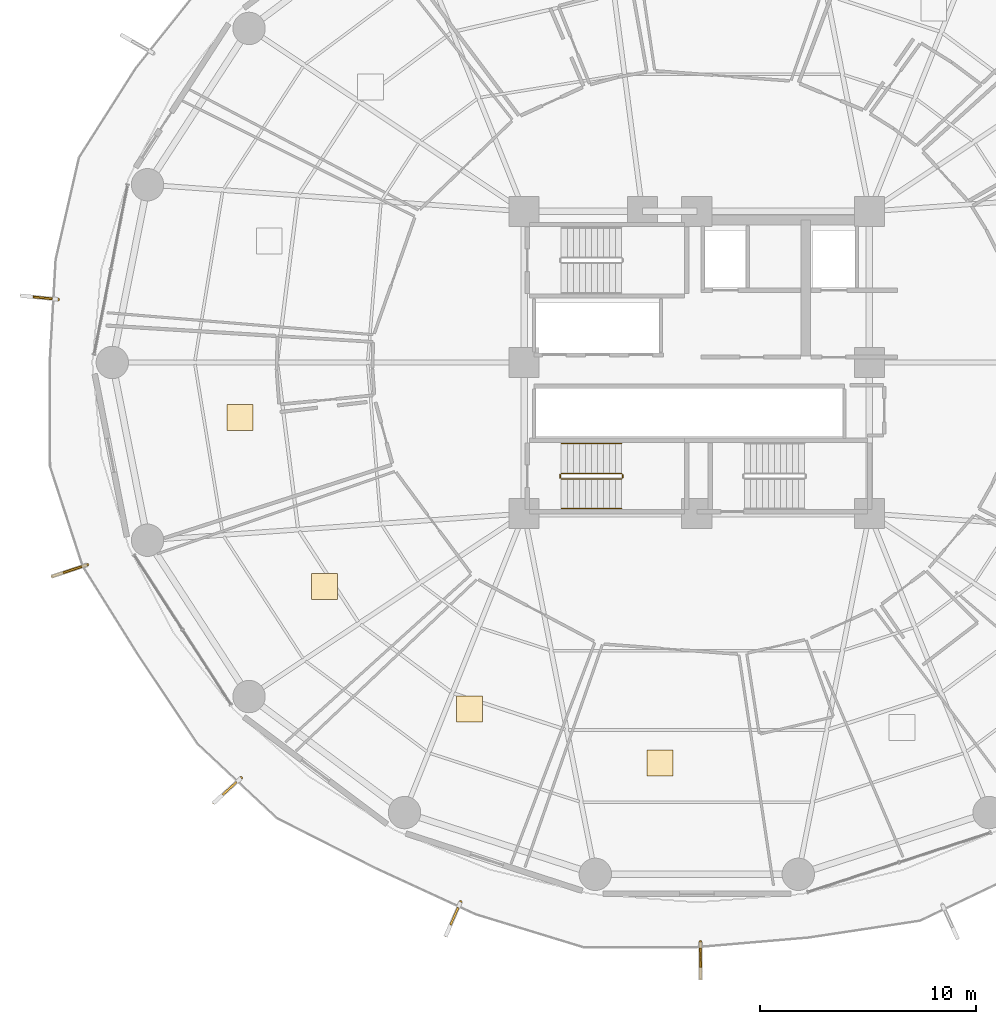
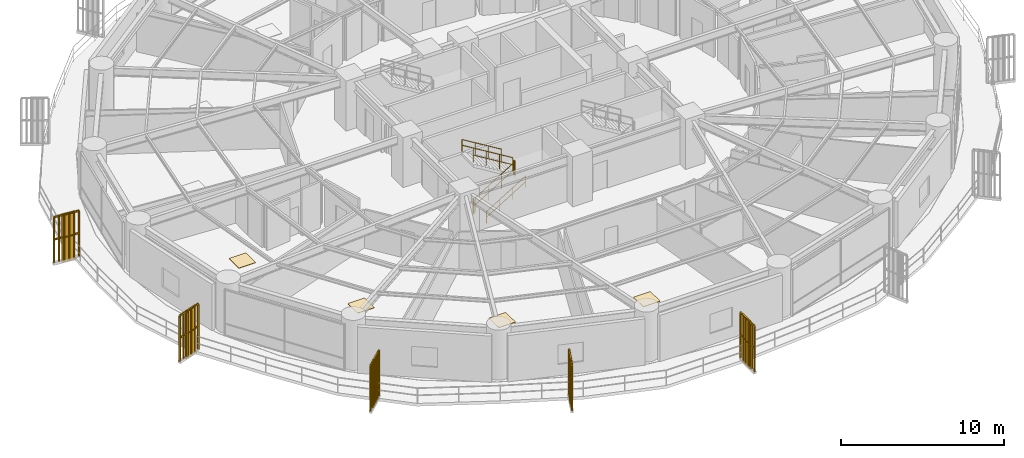
# One storey, part 28 of 32: 11 railings, 5 shading devices, 4 coverings.
"""IFC4 building model written with IfcOpenShell, lengths in metres."""

from ifc_helpers import new_model, si_unit, direction, frame, origin, origin_2d, place, context, subcontext, project, spatial, polyline, rectangle, outline, extrude, source, transform, mapped, material, layer, layer_set, type_object, element, save


model = new_model("IFC4")

# Units and contexts
model_context = context("Model", 3, precision=1e-05, world=origin(), true_north=direction((0.0, 1.0)))
body_context = subcontext(model_context, "Body", "Model", "MODEL_VIEW")
ifc_project = project(units=[si_unit("LENGTHUNIT", "METRE"), si_unit("AREAUNIT", "SQUARE_METRE"), si_unit("VOLUMEUNIT", "CUBIC_METRE"), si_unit("PLANEANGLEUNIT", "RADIAN"), si_unit("MASSUNIT", "GRAM", prefix="KILO")], contexts=[model_context])

# Site, building, storey
site_placement = place(None, origin())
site = spatial("IfcSite", under=ifc_project, at=site_placement, CompositionType="ELEMENT")
building_placement = place(site_placement, origin())
building = spatial("IfcBuilding", under=site, at=building_placement, Name="Kelanora Arch Commons", CompositionType="ELEMENT")
storey_placement = place(building_placement, frame((0.0, 0.0, 56.25)))
storey = spatial("IfcBuildingStorey", under=building, at=storey_placement, Name="L14", CompositionType="ELEMENT", Elevation=56.25)

# Railings
ifc_material_1 = material(Name="Anodised bronze vertical shading fin rib assembly")
railing_type_1 = type_object("IfcRailingType", Name="RAIL-FIN-BRZ", PredefinedType="BALUSTRADE", material=ifc_material_1)
railing_1_placement = place(storey_placement, frame((44.407958984375, 60.924072265625, -0.02001953125)))
element("IfcRailing", 1, at=railing_1_placement, inside=storey, type_object=railing_type_1, Name="Sweeping Bronze Vertical Fin Blade L14-06", PredefinedType="BALUSTRADE", context=body_context, shape_type="SweptSolid", body=[
    extrude(outline(polyline([(0.06982421875, 0.0), (0.034912109375, 0.060546875), (-0.034912109375, 0.060546875), (-0.06982421875, 0.0), (-0.034912109375, -0.060546875), (0.034912109375, -0.060546875), (0.06982421875, 0.0)])), frame((0.0, 0.0, 3.419921875), z_axis=(-0.995163487525, 0.098232546022, 0.0), x_axis=(-0.098232546022, -0.995163487525, 0.0)), (0.0, 0.0, 1.0), 1.692626953125),
    extrude(outline(polyline([(0.06982421875, 0.0), (0.034912109375, 0.060546875), (-0.034912109375, 0.060546875), (-0.06982421875, 0.0), (-0.034912109375, -0.060546875), (0.034912109375, -0.060546875), (0.06982421875, 0.0)])), frame((0.0, 0.0, 1.7451171875), z_axis=(-0.995163487525, 0.098232546022, 0.0), x_axis=(-0.098232546022, -0.995163487525, 0.0)), (0.0, 0.0, 1.0), 1.692626953125),
    extrude(outline(polyline([(0.080078125, 0.0), (0.0400390625, 0.0693359375), (-0.0400390625, 0.0693359375), (-0.080078125, 0.0), (-0.0400390625, -0.0693359375), (0.0400390625, -0.0693359375), (0.080078125, 0.0)])), origin(), (0.0, 0.0, 1.0), 3.35009765625),
    extrude(outline(polyline([(0.080078125, 0.0), (0.0400390625, 0.0693359375), (-0.0400390625, 0.0693359375), (-0.080078125, 0.0), (-0.0400390625, -0.0693359375), (0.0400390625, -0.0693359375), (0.080078125, 0.0)])), frame((-0.3369140625, 0.033203125, 0.0)), (0.0, 0.0, 1.0), 3.35009765625),
    extrude(outline(polyline([(0.080078125, 0.0), (0.0400390625, 0.0693359375), (-0.0400390625, 0.0693359375), (-0.080078125, 0.0), (-0.0400390625, -0.0693359375), (0.0400390625, -0.0693359375), (0.080078125, 0.0)])), frame((-0.673828125, 0.06640625, 0.0)), (0.0, 0.0, 1.0), 3.35009765625),
    extrude(outline(polyline([(0.080078125, 0.0), (0.0400390625, 0.0693359375), (-0.0400390625, 0.0693359375), (-0.080078125, 0.0), (-0.0400390625, -0.0693359375), (0.0400390625, -0.0693359375), (0.080078125, 0.0)])), frame((-1.010498046875, 0.099853515625, 0.0)), (0.0, 0.0, 1.0), 3.35009765625),
    extrude(outline(polyline([(0.080078125, 0.0), (0.0400390625, 0.0693359375), (-0.0400390625, 0.0693359375), (-0.080078125, 0.0), (-0.0400390625, -0.0693359375), (0.0400390625, -0.0693359375), (0.080078125, 0.0)])), frame((-1.347412109375, 0.133056640625, 0.0)), (0.0, 0.0, 1.0), 3.35009765625),
    extrude(outline(polyline([(0.080078125, 0.0), (0.0400390625, 0.0693359375), (-0.0400390625, 0.0693359375), (-0.080078125, 0.0), (-0.0400390625, -0.0693359375), (0.0400390625, -0.0693359375), (0.080078125, 0.0)])), frame((-1.684326171875, 0.166259765625, 0.0)), (0.0, 0.0, 1.0), 3.35009765625),
])
railing_2_placement = place(storey_placement, frame((45.7587890625, 48.62890625, -0.02001953125)))
element("IfcRailing", 2, at=railing_2_placement, inside=storey, type_object=railing_type_1, Name="Sweeping Bronze Vertical Fin Blade L14-07", PredefinedType="BALUSTRADE", context=body_context, shape_type="SweptSolid", body=[
    extrude(outline(polyline([(0.06982421875, 0.0), (0.034912109375, 0.060546875), (-0.034912109375, 0.060546875), (-0.06982421875, 0.0), (-0.034912109375, -0.060546875), (0.034912109375, -0.060546875), (0.06982421875, 0.0)])), frame((0.0, 0.0, 3.419921875), z_axis=(-0.949115202632, -0.314929090644, 0.0), x_axis=(0.314929090644, -0.949115202632, 0.0)), (0.0, 0.0, 1.0), 1.6923828125),
    extrude(outline(polyline([(0.06982421875, 0.0), (0.034912109375, 0.060546875), (-0.034912109375, 0.060546875), (-0.06982421875, 0.0), (-0.034912109375, -0.060546875), (0.034912109375, -0.060546875), (0.06982421875, 0.0)])), frame((0.0, 0.0, 1.7451171875), z_axis=(-0.949115202632, -0.314929090644, 0.0), x_axis=(0.314929090644, -0.949115202632, 0.0)), (0.0, 0.0, 1.0), 1.6923828125),
    extrude(outline(polyline([(0.080078125, 0.0), (0.0400390625, 0.0693359375), (-0.0400390625, 0.0693359375), (-0.080078125, 0.0), (-0.0400390625, -0.0693359375), (0.0400390625, -0.0693359375), (0.080078125, 0.0)])), origin(), (0.0, 0.0, 1.0), 3.35009765625),
    extrude(outline(polyline([(0.080078125, 0.0), (0.0400390625, 0.0693359375), (-0.0400390625, 0.0693359375), (-0.080078125, 0.0), (-0.0400390625, -0.0693359375), (0.0400390625, -0.0693359375), (0.080078125, 0.0)])), frame((-0.3212890625, -0.106689453125, 0.0)), (0.0, 0.0, 1.0), 3.35009765625),
    extrude(outline(polyline([(0.080078125, 0.0), (0.0400390625, 0.0693359375), (-0.0400390625, 0.0693359375), (-0.080078125, 0.0), (-0.0400390625, -0.0693359375), (0.0400390625, -0.0693359375), (0.080078125, 0.0)])), frame((-0.642578125, -0.213134765625, 0.0)), (0.0, 0.0, 1.0), 3.35009765625),
    extrude(outline(polyline([(0.080078125, 0.0), (0.0400390625, 0.0693359375), (-0.0400390625, 0.0693359375), (-0.080078125, 0.0), (-0.0400390625, -0.0693359375), (0.0400390625, -0.0693359375), (0.080078125, 0.0)])), frame((-0.963623046875, -0.31982421875, 0.0)), (0.0, 0.0, 1.0), 3.35009765625),
    extrude(outline(polyline([(0.080078125, 0.0), (0.0400390625, 0.0693359375), (-0.0400390625, 0.0693359375), (-0.080078125, 0.0), (-0.0400390625, -0.0693359375), (0.0400390625, -0.0693359375), (0.080078125, 0.0)])), frame((-1.284912109375, -0.42626953125, 0.0)), (0.0, 0.0, 1.0), 3.35009765625),
    extrude(outline(polyline([(0.080078125, 0.0), (0.0400390625, 0.0693359375), (-0.0400390625, 0.0693359375), (-0.080078125, 0.0), (-0.0400390625, -0.0693359375), (0.0400390625, -0.0693359375), (0.080078125, 0.0)])), frame((-1.606201171875, -0.532958984375, 0.0)), (0.0, 0.0, 1.0), 3.35009765625),
])
railing_3_placement = place(storey_placement, frame((52.88525390625, 38.748779296875, -0.02001953125)))
element("IfcRailing", 3, at=railing_3_placement, inside=storey, type_object=railing_type_1, Name="Sweeping Bronze Vertical Fin Blade L14-08", PredefinedType="BALUSTRADE", context=body_context, shape_type="SweptSolid", body=[
    extrude(outline(polyline([(0.06982421875, 0.0), (0.034912109375, 0.060546875), (-0.034912109375, 0.060546875), (-0.06982421875, 0.0), (-0.034912109375, -0.060546875), (0.034912109375, -0.060546875), (0.06982421875, 0.0)])), frame((0.0, 0.0, 3.419921875), z_axis=(-0.738953731716, -0.673756174282, 0.0), x_axis=(0.673756174282, -0.738953731716, 0.0)), (0.0, 0.0, 1.0), 1.692626953125),
    extrude(outline(polyline([(0.06982421875, 0.0), (0.034912109375, 0.060546875), (-0.034912109375, 0.060546875), (-0.06982421875, 0.0), (-0.034912109375, -0.060546875), (0.034912109375, -0.060546875), (0.06982421875, 0.0)])), frame((0.0, 0.0, 1.7451171875), z_axis=(-0.738953731716, -0.673756174282, 0.0), x_axis=(0.673756174282, -0.738953731716, 0.0)), (0.0, 0.0, 1.0), 1.692626953125),
    extrude(outline(polyline([(0.080078125, 0.0), (0.0400390625, 0.0693359375), (-0.0400390625, 0.0693359375), (-0.080078125, 0.0), (-0.0400390625, -0.0693359375), (0.0400390625, -0.0693359375), (0.080078125, 0.0)])), origin(), (0.0, 0.0, 1.0), 3.35009765625),
    extrude(outline(polyline([(0.080078125, 0.0), (0.0400390625, 0.0693359375), (-0.0400390625, 0.0693359375), (-0.080078125, 0.0), (-0.0400390625, -0.0693359375), (0.0400390625, -0.0693359375), (0.080078125, 0.0)])), frame((-0.250244140625, -0.22802734375, 0.0)), (0.0, 0.0, 1.0), 3.35009765625),
    extrude(outline(polyline([(0.080078125, 0.0), (0.0400390625, 0.0693359375), (-0.0400390625, 0.0693359375), (-0.080078125, 0.0), (-0.0400390625, -0.0693359375), (0.0400390625, -0.0693359375), (0.080078125, 0.0)])), frame((-0.500244140625, -0.4560546875, 0.0)), (0.0, 0.0, 1.0), 3.35009765625),
    extrude(outline(polyline([(0.080078125, 0.0), (0.0400390625, 0.0693359375), (-0.0400390625, 0.0693359375), (-0.080078125, 0.0), (-0.0400390625, -0.0693359375), (0.0400390625, -0.0693359375), (0.080078125, 0.0)])), frame((-0.75048828125, -0.684326171875, 0.0)), (0.0, 0.0, 1.0), 3.35009765625),
    extrude(outline(polyline([(0.080078125, 0.0), (0.0400390625, 0.0693359375), (-0.0400390625, 0.0693359375), (-0.080078125, 0.0), (-0.0400390625, -0.0693359375), (0.0400390625, -0.0693359375), (0.080078125, 0.0)])), frame((-1.00048828125, -0.912353515625, 0.0)), (0.0, 0.0, 1.0), 3.35009765625),
    extrude(outline(polyline([(0.080078125, 0.0), (0.0400390625, 0.0693359375), (-0.0400390625, 0.0693359375), (-0.080078125, 0.0), (-0.0400390625, -0.0693359375), (0.0400390625, -0.0693359375), (0.080078125, 0.0)])), frame((-1.250732421875, -1.140380859375, 0.0)), (0.0, 0.0, 1.0), 3.35009765625),
])
railing_4_placement = place(storey_placement, frame((63.056884765625, 33.00341796875, -0.02001953125)))
element("IfcRailing", 4, at=railing_4_placement, inside=storey, type_object=railing_type_1, Name="Sweeping Bronze Vertical Fin Blade L14-09", PredefinedType="BALUSTRADE", context=body_context, shape_type="SweptSolid", body=[
    extrude(outline(polyline([(0.06982421875, 0.0), (0.034912109375, 0.060546875), (-0.034912109375, 0.060546875), (-0.06982421875, 0.0), (-0.034912109375, -0.060546875), (0.034912109375, -0.060546875), (0.06982421875, 0.0)])), frame((0.0, 0.0, 3.419921875), z_axis=(-0.400992863082, -0.916081177493, 0.0), x_axis=(0.916081177493, -0.400992863082, 0.0)), (0.0, 0.0, 1.0), 1.692626953125),
    extrude(outline(polyline([(0.06982421875, 0.0), (0.034912109375, 0.060546875), (-0.034912109375, 0.060546875), (-0.06982421875, 0.0), (-0.034912109375, -0.060546875), (0.034912109375, -0.060546875), (0.06982421875, 0.0)])), frame((0.0, 0.0, 1.7451171875), z_axis=(-0.400992863082, -0.916081177493, 0.0), x_axis=(0.916081177493, -0.400992863082, 0.0)), (0.0, 0.0, 1.0), 1.692626953125),
    extrude(outline(polyline([(0.080078125, 0.0), (0.0400390625, 0.0693359375), (-0.0400390625, 0.0693359375), (-0.080078125, 0.0), (-0.0400390625, -0.0693359375), (0.0400390625, -0.0693359375), (0.080078125, 0.0)])), origin(), (0.0, 0.0, 1.0), 3.35009765625),
    extrude(outline(polyline([(0.080078125, 0.0), (0.0400390625, 0.0693359375), (-0.0400390625, 0.0693359375), (-0.080078125, 0.0), (-0.0400390625, -0.0693359375), (0.0400390625, -0.0693359375), (0.080078125, 0.0)])), frame((-0.1357421875, -0.31005859375, 0.0)), (0.0, 0.0, 1.0), 3.35009765625),
    extrude(outline(polyline([(0.080078125, 0.0), (0.0400390625, 0.0693359375), (-0.0400390625, 0.0693359375), (-0.080078125, 0.0), (-0.0400390625, -0.0693359375), (0.0400390625, -0.0693359375), (0.080078125, 0.0)])), frame((-0.271484375, -0.6201171875, 0.0)), (0.0, 0.0, 1.0), 3.35009765625),
    extrude(outline(polyline([(0.080078125, 0.0), (0.0400390625, 0.0693359375), (-0.0400390625, 0.0693359375), (-0.080078125, 0.0), (-0.0400390625, -0.0693359375), (0.0400390625, -0.0693359375), (0.080078125, 0.0)])), frame((-0.4072265625, -0.930419921875, 0.0)), (0.0, 0.0, 1.0), 3.35009765625),
    extrude(outline(polyline([(0.080078125, 0.0), (0.0400390625, 0.0693359375), (-0.0400390625, 0.0693359375), (-0.080078125, 0.0), (-0.0400390625, -0.0693359375), (0.0400390625, -0.0693359375), (0.080078125, 0.0)])), frame((-0.54296875, -1.240478515625, 0.0)), (0.0, 0.0, 1.0), 3.35009765625),
    extrude(outline(polyline([(0.080078125, 0.0), (0.0400390625, 0.0693359375), (-0.0400390625, 0.0693359375), (-0.080078125, 0.0), (-0.0400390625, -0.0693359375), (0.0400390625, -0.0693359375), (0.080078125, 0.0)])), frame((-0.6787109375, -1.550537109375, 0.0)), (0.0, 0.0, 1.0), 3.35009765625),
])
railing_5_placement = place(storey_placement, frame((74.167236328125, 31.152099609375, -0.02001953125)))
element("IfcRailing", 5, at=railing_5_placement, inside=storey, type_object=railing_type_1, Name="Sweeping Bronze Vertical Fin Blade L14-10", PredefinedType="BALUSTRADE", context=body_context, shape_type="SweptSolid", body=[
    extrude(outline(polyline([(0.06982421875, 0.0), (0.034912109375, 0.060546875), (-0.034912109375, 0.060546875), (-0.06982421875, 0.0), (-0.034912109375, -0.060546875), (0.034912109375, -0.060546875), (0.06982421875, 0.0)])), frame((0.0, 0.0, 3.419921875), z_axis=(0.006202101972, -0.999980766781, 0.0), x_axis=(0.999980766781, 0.006202101972, 0.0)), (0.0, 0.0, 1.0), 1.692626953125),
    extrude(outline(polyline([(0.06982421875, 0.0), (0.034912109375, 0.060546875), (-0.034912109375, 0.060546875), (-0.06982421875, 0.0), (-0.034912109375, -0.060546875), (0.034912109375, -0.060546875), (0.06982421875, 0.0)])), frame((0.0, 0.0, 1.7451171875), z_axis=(0.006202101972, -0.999980766781, 0.0), x_axis=(0.999980766781, 0.006202101972, 0.0)), (0.0, 0.0, 1.0), 1.692626953125),
    extrude(outline(polyline([(0.080078125, 0.0), (0.0400390625, 0.0693359375), (-0.0400390625, 0.0693359375), (-0.080078125, 0.0), (-0.0400390625, -0.0693359375), (0.0400390625, -0.0693359375), (0.080078125, 0.0)])), origin(), (0.0, 0.0, 1.0), 3.35009765625),
    extrude(outline(polyline([(0.080078125, 0.0), (0.0400390625, 0.0693359375), (-0.0400390625, 0.0693359375), (-0.080078125, 0.0), (-0.0400390625, -0.0693359375), (0.0400390625, -0.0693359375), (0.080078125, 0.0)])), frame((0.002197265625, -0.338623046875, 0.0)), (0.0, 0.0, 1.0), 3.35009765625),
    extrude(outline(polyline([(0.080078125, 0.0), (0.0400390625, 0.0693359375), (-0.0400390625, 0.0693359375), (-0.080078125, 0.0), (-0.0400390625, -0.0693359375), (0.0400390625, -0.0693359375), (0.080078125, 0.0)])), frame((0.004150390625, -0.677001953125, 0.0)), (0.0, 0.0, 1.0), 3.35009765625),
    extrude(outline(polyline([(0.080078125, 0.0), (0.0400390625, 0.0693359375), (-0.0400390625, 0.0693359375), (-0.080078125, 0.0), (-0.0400390625, -0.0693359375), (0.0400390625, -0.0693359375), (0.080078125, 0.0)])), frame((0.00634765625, -1.015625, 0.0)), (0.0, 0.0, 1.0), 3.35009765625),
    extrude(outline(polyline([(0.080078125, 0.0), (0.0400390625, 0.0693359375), (-0.0400390625, 0.0693359375), (-0.080078125, 0.0), (-0.0400390625, -0.0693359375), (0.0400390625, -0.0693359375), (0.080078125, 0.0)])), frame((0.00830078125, -1.35400390625, 0.0)), (0.0, 0.0, 1.0), 3.35009765625),
    extrude(outline(polyline([(0.080078125, 0.0), (0.0400390625, 0.0693359375), (-0.0400390625, 0.0693359375), (-0.080078125, 0.0), (-0.0400390625, -0.0693359375), (0.0400390625, -0.0693359375), (0.080078125, 0.0)])), frame((0.010498046875, -1.692626953125, 0.0)), (0.0, 0.0, 1.0), 3.35009765625),
])
ifc_material_2 = material(Name="Painted steel stair well guard", Category="steel")
railing_type_2 = type_object("IfcRailingType", Name="RAIL-STAIR-GRD", PredefinedType="GUARDRAIL", material=ifc_material_2)
railing_6_placement = place(storey_placement, frame((67.719970703125, 52.610107421875, 0.17041015625)))
element("IfcRailing", 6, at=railing_6_placement, inside=storey, type_object=railing_type_2, Name="L14 ST-T3 stair guard 1", PredefinedType="GUARDRAIL", context=body_context, shape_type="SweptSolid", body=[
    extrude(outline(polyline([(0.02392578125, 0.0), (0.011962890625, 0.020751953125), (-0.011962890625, 0.020751953125), (-0.02392578125, 0.0), (-0.011962890625, -0.020751953125), (0.011962890625, -0.020751953125), (0.02392578125, 0.0)])), frame((0.0, 0.0, 1.076171875), z_axis=(0.854169791009, 0.0, 0.51999420009), x_axis=(0.0, 1.0, 0.0)), (0.0, 0.0, 1.0), 3.278076171875),
    extrude(outline(polyline([(0.02392578125, 0.0), (0.011962890625, 0.020751953125), (-0.011962890625, 0.020751953125), (-0.02392578125, 0.0), (-0.011962890625, -0.020751953125), (0.011962890625, -0.020751953125), (0.02392578125, 0.0)])), frame((0.0, 0.0, 0.550048828125), z_axis=(0.854169791009, 0.0, 0.51999420009), x_axis=(0.0, 1.0, 0.0)), (0.0, 0.0, 1.0), 3.278076171875),
    extrude(outline(polyline([(0.02099609375, 0.0), (0.010498046875, 0.01806640625), (-0.010498046875, 0.01806640625), (-0.02099609375, 0.0), (-0.010498046875, -0.01806640625), (0.010498046875, -0.01806640625), (0.02099609375, 0.0)])), origin(), (0.0, 0.0, 1.0), 1.052001953125),
    extrude(outline(polyline([(0.02099609375, 0.0), (0.010498046875, 0.01806640625), (-0.010498046875, 0.01806640625), (-0.02099609375, 0.0), (-0.010498046875, -0.01806640625), (0.010498046875, -0.01806640625), (0.02099609375, 0.0)])), frame((0.933349609375, 0.0, 0.568115234375)), (0.0, 0.0, 1.0), 1.052001953125),
    extrude(outline(polyline([(0.02099609375, 0.0), (0.010498046875, 0.01806640625), (-0.010498046875, 0.01806640625), (-0.02099609375, 0.0), (-0.010498046875, -0.01806640625), (0.010498046875, -0.01806640625), (0.02099609375, 0.0)])), frame((1.86669921875, 0.0, 1.136474609375)), (0.0, 0.0, 1.0), 1.052001953125),
    extrude(outline(polyline([(0.02099609375, 0.0), (0.010498046875, 0.01806640625), (-0.010498046875, 0.01806640625), (-0.02099609375, 0.0), (-0.010498046875, -0.01806640625), (0.010498046875, -0.01806640625), (0.02099609375, 0.0)])), frame((2.800048828125, 0.0, 1.70458984375)), (0.0, 0.0, 1.0), 1.052001953125),
])
railing_7_placement = place(storey_placement, frame((70.570068359375, 52.659912109375, 1.875)))
element("IfcRailing", 7, at=railing_7_placement, inside=storey, type_object=railing_type_2, Name="L14 ST-T3 stair guard 2", PredefinedType="GUARDRAIL", context=body_context, shape_type="SweptSolid", body=[
    extrude(outline(polyline([(0.02392578125, 0.0), (0.011962890625, 0.020751953125), (-0.011962890625, 0.020751953125), (-0.02392578125, 0.0), (-0.011962890625, -0.020751953125), (0.011962890625, -0.020751953125), (0.02392578125, 0.0)])), frame((0.0, 0.0, 1.076171875), z_axis=(0.0, 1.0, 0.0), x_axis=(-1.0, 0.0, 0.0)), (0.0, 0.0, 1.0), 0.150146484375),
    extrude(outline(polyline([(0.02392578125, 0.0), (0.011962890625, 0.020751953125), (-0.011962890625, 0.020751953125), (-0.02392578125, 0.0), (-0.011962890625, -0.020751953125), (0.011962890625, -0.020751953125), (0.02392578125, 0.0)])), frame((0.0, 0.0, 0.550048828125), z_axis=(0.0, 1.0, 0.0), x_axis=(-1.0, 0.0, 0.0)), (0.0, 0.0, 1.0), 0.150146484375),
    extrude(outline(polyline([(0.02099609375, 0.0), (0.010498046875, 0.01806640625), (-0.010498046875, 0.01806640625), (-0.02099609375, 0.0), (-0.010498046875, -0.01806640625), (0.010498046875, -0.01806640625), (0.02099609375, 0.0)])), origin(), (0.0, 0.0, 1.0), 1.052001953125),
    extrude(outline(polyline([(0.02099609375, 0.0), (0.010498046875, 0.01806640625), (-0.010498046875, 0.01806640625), (-0.02099609375, 0.0), (-0.010498046875, -0.01806640625), (0.010498046875, -0.01806640625), (0.02099609375, 0.0)])), frame((0.0, 0.150146484375, 0.0)), (0.0, 0.0, 1.0), 1.052001953125),
])
railing_8_placement = place(storey_placement, frame((70.52001953125, 52.860107421875, 2.04541015625)))
element("IfcRailing", 8, at=railing_8_placement, inside=storey, type_object=railing_type_2, Name="L14 ST-T3 stair guard 3", PredefinedType="GUARDRAIL", context=body_context, shape_type="SweptSolid", body=[
    extrude(outline(polyline([(0.02392578125, 0.0), (0.011962890625, 0.020751953125), (-0.011962890625, 0.020751953125), (-0.02392578125, 0.0), (-0.011962890625, -0.020751953125), (0.011962890625, -0.020751953125), (0.02392578125, 0.0)])), frame((0.0, 0.0, 1.076171875), z_axis=(-0.854169791009, 0.0, 0.51999420009), x_axis=(0.0, -1.0, 0.0)), (0.0, 0.0, 1.0), 3.278076171875),
    extrude(outline(polyline([(0.02392578125, 0.0), (0.011962890625, 0.020751953125), (-0.011962890625, 0.020751953125), (-0.02392578125, 0.0), (-0.011962890625, -0.020751953125), (0.011962890625, -0.020751953125), (0.02392578125, 0.0)])), frame((0.0, 0.0, 0.550048828125), z_axis=(-0.854169791009, 0.0, 0.51999420009), x_axis=(0.0, -1.0, 0.0)), (0.0, 0.0, 1.0), 3.278076171875),
    extrude(outline(polyline([(0.02099609375, 0.0), (0.010498046875, 0.01806640625), (-0.010498046875, 0.01806640625), (-0.02099609375, 0.0), (-0.010498046875, -0.01806640625), (0.010498046875, -0.01806640625), (0.02099609375, 0.0)])), origin(), (0.0, 0.0, 1.0), 1.052001953125),
    extrude(outline(polyline([(0.02099609375, 0.0), (0.010498046875, 0.01806640625), (-0.010498046875, 0.01806640625), (-0.02099609375, 0.0), (-0.010498046875, -0.01806640625), (0.010498046875, -0.01806640625), (0.02099609375, 0.0)])), frame((-0.933349609375, 0.0, 0.568115234375)), (0.0, 0.0, 1.0), 1.052001953125),
    extrude(outline(polyline([(0.02099609375, 0.0), (0.010498046875, 0.01806640625), (-0.010498046875, 0.01806640625), (-0.02099609375, 0.0), (-0.010498046875, -0.01806640625), (0.010498046875, -0.01806640625), (0.02099609375, 0.0)])), frame((-1.86669921875, 0.0, 1.136474609375)), (0.0, 0.0, 1.0), 1.052001953125),
    extrude(outline(polyline([(0.02099609375, 0.0), (0.010498046875, 0.01806640625), (-0.010498046875, 0.01806640625), (-0.02099609375, 0.0), (-0.010498046875, -0.01806640625), (0.010498046875, -0.01806640625), (0.02099609375, 0.0)])), frame((-2.800048828125, 0.0, 1.70458984375)), (0.0, 0.0, 1.0), 1.052001953125),
])
railing_9_placement = place(storey_placement, frame((67.669921875, 52.659912109375, 0.0)))
element("IfcRailing", 9, at=railing_9_placement, inside=storey, type_object=railing_type_2, Name="L14 ST-T3 stair guard 4", PredefinedType="GUARDRAIL", context=body_context, shape_type="SweptSolid", body=[
    extrude(outline(polyline([(0.02392578125, 0.0), (0.011962890625, 0.020751953125), (-0.011962890625, 0.020751953125), (-0.02392578125, 0.0), (-0.011962890625, -0.020751953125), (0.011962890625, -0.020751953125), (0.02392578125, 0.0)])), frame((0.0, 0.0, 1.076171875), z_axis=(0.0, 1.0, 0.0), x_axis=(-1.0, 0.0, 0.0)), (0.0, 0.0, 1.0), 0.150146484375),
    extrude(outline(polyline([(0.02392578125, 0.0), (0.011962890625, 0.020751953125), (-0.011962890625, 0.020751953125), (-0.02392578125, 0.0), (-0.011962890625, -0.020751953125), (0.011962890625, -0.020751953125), (0.02392578125, 0.0)])), frame((0.0, 0.0, 0.550048828125), z_axis=(0.0, 1.0, 0.0), x_axis=(-1.0, 0.0, 0.0)), (0.0, 0.0, 1.0), 0.150146484375),
    extrude(outline(polyline([(0.02099609375, 0.0), (0.010498046875, 0.01806640625), (-0.010498046875, 0.01806640625), (-0.02099609375, 0.0), (-0.010498046875, -0.01806640625), (0.010498046875, -0.01806640625), (0.02099609375, 0.0)])), origin(), (0.0, 0.0, 1.0), 1.052001953125),
    extrude(outline(polyline([(0.02099609375, 0.0), (0.010498046875, 0.01806640625), (-0.010498046875, 0.01806640625), (-0.02099609375, 0.0), (-0.010498046875, -0.01806640625), (0.010498046875, -0.01806640625), (0.02099609375, 0.0)])), frame((0.0, 0.150146484375, 0.0)), (0.0, 0.0, 1.0), 1.052001953125),
])
ifc_material_3 = material(Name="Brushed stainless steel stair handrail", Category="steel")
railing_type_3 = type_object("IfcRailingType", Name="RAIL-STAIR-HND", PredefinedType="HANDRAIL", material=ifc_material_3)
railing_10_placement = place(storey_placement, frame((67.719970703125, 51.22998046875, 0.17041015625)))
element("IfcRailing", 10, at=railing_10_placement, inside=storey, type_object=railing_type_3, Name="L14 ST-T3 stair handrail 1", PredefinedType="HANDRAIL", context=body_context, shape_type="SweptSolid", body=[
    extrude(outline(polyline([(0.02392578125, 0.0), (0.011962890625, 0.020751953125), (-0.011962890625, 0.020751953125), (-0.02392578125, 0.0), (-0.011962890625, -0.020751953125), (0.011962890625, -0.020751953125), (0.02392578125, 0.0)])), frame((0.0, 0.0, 0.8759765625), z_axis=(0.854169791009, 0.0, 0.51999420009), x_axis=(0.0, 1.0, 0.0)), (0.0, 0.0, 1.0), 3.278076171875),
    extrude(outline(polyline([(0.02392578125, 0.0), (0.011962890625, 0.020751953125), (-0.011962890625, 0.020751953125), (-0.02392578125, 0.0), (-0.011962890625, -0.020751953125), (0.011962890625, -0.020751953125), (0.02392578125, 0.0)])), frame((0.0, 0.0, 0.449951171875), z_axis=(0.854169791009, 0.0, 0.51999420009), x_axis=(0.0, 1.0, 0.0)), (0.0, 0.0, 1.0), 3.278076171875),
    extrude(outline(polyline([(0.02099609375, 0.0), (0.010498046875, 0.01806640625), (-0.010498046875, 0.01806640625), (-0.02099609375, 0.0), (-0.010498046875, -0.01806640625), (0.010498046875, -0.01806640625), (0.02099609375, 0.0)])), origin(), (0.0, 0.0, 1.0), 0.851806640625),
    extrude(outline(polyline([(0.02099609375, 0.0), (0.010498046875, 0.01806640625), (-0.010498046875, 0.01806640625), (-0.02099609375, 0.0), (-0.010498046875, -0.01806640625), (0.010498046875, -0.01806640625), (0.02099609375, 0.0)])), frame((0.933349609375, 0.0, 0.568115234375)), (0.0, 0.0, 1.0), 0.851806640625),
    extrude(outline(polyline([(0.02099609375, 0.0), (0.010498046875, 0.01806640625), (-0.010498046875, 0.01806640625), (-0.02099609375, 0.0), (-0.010498046875, -0.01806640625), (0.010498046875, -0.01806640625), (0.02099609375, 0.0)])), frame((1.86669921875, 0.0, 1.136474609375)), (0.0, 0.0, 1.0), 0.851806640625),
    extrude(outline(polyline([(0.02099609375, 0.0), (0.010498046875, 0.01806640625), (-0.010498046875, 0.01806640625), (-0.02099609375, 0.0), (-0.010498046875, -0.01806640625), (0.010498046875, -0.01806640625), (0.02099609375, 0.0)])), frame((2.800048828125, 0.0, 1.70458984375)), (0.0, 0.0, 1.0), 0.851806640625),
])
railing_11_placement = place(storey_placement, frame((70.52001953125, 54.239990234375, 2.04541015625)))
element("IfcRailing", 11, at=railing_11_placement, inside=storey, type_object=railing_type_3, Name="L14 ST-T3 stair handrail 2", PredefinedType="HANDRAIL", context=body_context, shape_type="SweptSolid", body=[
    extrude(outline(polyline([(0.02392578125, 0.0), (0.011962890625, 0.020751953125), (-0.011962890625, 0.020751953125), (-0.02392578125, 0.0), (-0.011962890625, -0.020751953125), (0.011962890625, -0.020751953125), (0.02392578125, 0.0)])), frame((0.0, 0.0, 0.8759765625), z_axis=(-0.854169791009, 0.0, 0.51999420009), x_axis=(0.0, -1.0, 0.0)), (0.0, 0.0, 1.0), 3.278076171875),
    extrude(outline(polyline([(0.02392578125, 0.0), (0.011962890625, 0.020751953125), (-0.011962890625, 0.020751953125), (-0.02392578125, 0.0), (-0.011962890625, -0.020751953125), (0.011962890625, -0.020751953125), (0.02392578125, 0.0)])), frame((0.0, 0.0, 0.449951171875), z_axis=(-0.854169791009, 0.0, 0.51999420009), x_axis=(0.0, -1.0, 0.0)), (0.0, 0.0, 1.0), 3.278076171875),
    extrude(outline(polyline([(0.02099609375, 0.0), (0.010498046875, 0.01806640625), (-0.010498046875, 0.01806640625), (-0.02099609375, 0.0), (-0.010498046875, -0.01806640625), (0.010498046875, -0.01806640625), (0.02099609375, 0.0)])), origin(), (0.0, 0.0, 1.0), 0.851806640625),
    extrude(outline(polyline([(0.02099609375, 0.0), (0.010498046875, 0.01806640625), (-0.010498046875, 0.01806640625), (-0.02099609375, 0.0), (-0.010498046875, -0.01806640625), (0.010498046875, -0.01806640625), (0.02099609375, 0.0)])), frame((-0.933349609375, 0.0, 0.568115234375)), (0.0, 0.0, 1.0), 0.851806640625),
    extrude(outline(polyline([(0.02099609375, 0.0), (0.010498046875, 0.01806640625), (-0.010498046875, 0.01806640625), (-0.02099609375, 0.0), (-0.010498046875, -0.01806640625), (0.010498046875, -0.01806640625), (0.02099609375, 0.0)])), frame((-1.86669921875, 0.0, 1.136474609375)), (0.0, 0.0, 1.0), 0.851806640625),
    extrude(outline(polyline([(0.02099609375, 0.0), (0.010498046875, 0.01806640625), (-0.010498046875, 0.01806640625), (-0.02099609375, 0.0), (-0.010498046875, -0.01806640625), (0.010498046875, -0.01806640625), (0.02099609375, 0.0)])), frame((-2.800048828125, 0.0, 1.70458984375)), (0.0, 0.0, 1.0), 0.851806640625),
])

# Shading devices
ifc_material_4 = material(Name="Terracotta ceramic-clad extruded aluminium fin", Category="masonry")
shading_device_type = type_object("IfcShadingDeviceType", Name="SHD-FIN-FLARE", PredefinedType="USERDEFINED", material=ifc_material_4)
shared_shape_1 = source(origin(), body_context, "Body", "SweptSolid", [
    extrude(rectangle(XDim=0.8798828125, YDim=0.090087890625, at=origin_2d()), origin(), (0.0, 0.0, 1.0), 3.610107421875),
])
for number, where, z_axis, x_axis, name in (
    (12, (43.69140625, 60.994873046875, -0.14013671875), (0.0, 0.0, 1.0), (-0.995159031741, 0.09827767572, 0.0), "Sweeping Terracotta Fin L14-06"),
    (13, (45.075439453125, 48.402099609375, -0.14013671875), (0.0, 0.0, 1.0), (-0.94909614499, -0.314986519655, 0.0), "Sweeping Terracotta Fin L14-07"),
    (14, (52.353271484375, 38.263671875, -0.14013671875), (0.0, 0.0, 1.0), (-0.738925912503, -0.673786684219, 0.0), "Sweeping Terracotta Fin L14-08"),
    (15, (62.76806640625, 32.34375, -0.14013671875), (0.0, 0.0, 1.0), (-0.400988676813, -0.916083009922, 0.0), "Sweeping Terracotta Fin L14-09"),
    (16, (74.171875, 30.431884765625, -0.14013671875), (0.0, 0.0, 1.0), (0.006283143966, -0.999980260856, 0.0), "Sweeping Terracotta Fin L14-10"),
):
    element("IfcShadingDevice", number, at=place(storey_placement, frame(where, z_axis=z_axis, x_axis=x_axis)), inside=storey, type_object=shading_device_type, Name=name, ObjectType="FIN", PredefinedType="USERDEFINED", context=body_context, shape_type="MappedRepresentation", body=[
        mapped(shared_shape_1, transform((0.0, 0.0, 0.0), scale=1.0)),
    ])

# Coverings
ifc_material_5 = material(Name="Polished local granite terrazzo flooring", Category="masonry")
ifc_layer = layer(ifc_material_5, 0.030029296875)
ifc_layer_set = layer_set([ifc_layer], Name="Polished local granite terrazzo flooring")
covering_type = type_object("IfcCoveringType", Name="COV-FLR-TER", PredefinedType="FLOORING", material=ifc_layer_set)
shared_shape_2 = source(origin(), body_context, "Body", "SweptSolid", [
    extrude(rectangle(XDim=1.199951171875, YDim=1.199951171875, at=origin_2d()), origin(), (0.0, 0.0, 1.0), 0.030029296875),
])
for number, where, z_axis, x_axis, name in (
    (17, (52.82958984375, 55.452392578125, 0.0), (0.0, 0.0, 1.0), (1.0, 0.0, 0.0), "Co-Living Studio L14-07 Terrazzo Finish"),
    (18, (56.7451171875, 47.6220703125, 0.0), (0.0, 0.0, 1.0), (1.0, 0.0, 0.0), "Communal Dining and Social Hall L14-08 Terrazzo Finish"),
    (19, (63.476318359375, 41.93798828125, 0.0), (0.0, 0.0, 1.0), (1.0, 0.0, 0.0), "Quiet Seminar Study Room L14-09 Terrazzo Finish"),
    (20, (72.29248046875, 39.435546875, 0.0), (0.0, 0.0, 1.0), (1.0, 0.0, 0.0), "Quiet Seminar Study Room L14-10 Terrazzo Finish"),
):
    element("IfcCovering", number, at=place(storey_placement, frame(where, z_axis=z_axis, x_axis=x_axis)), inside=storey, type_object=covering_type, Name=name, PredefinedType="FLOORING", context=body_context, shape_type="MappedRepresentation", body=[
        mapped(shared_shape_2, transform((0.0, 0.0, 0.0), scale=1.0)),
    ])

save(model, "model.ifc")
